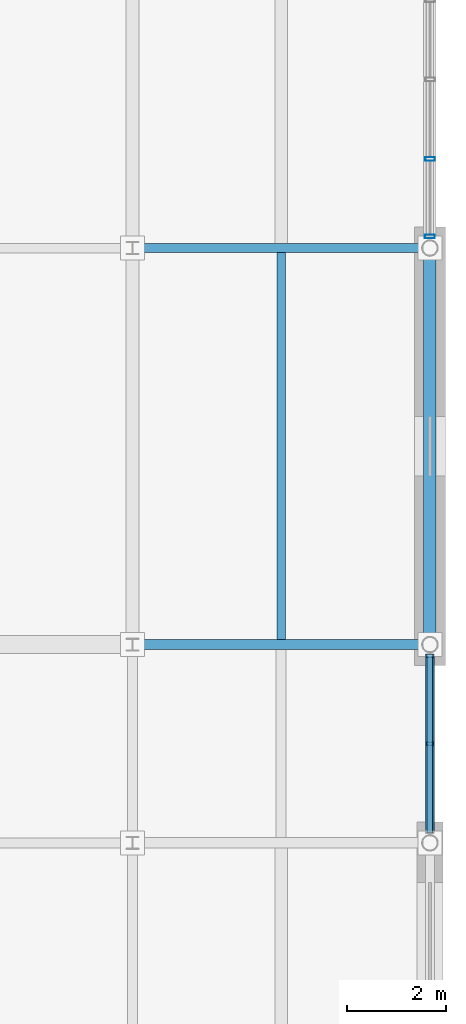
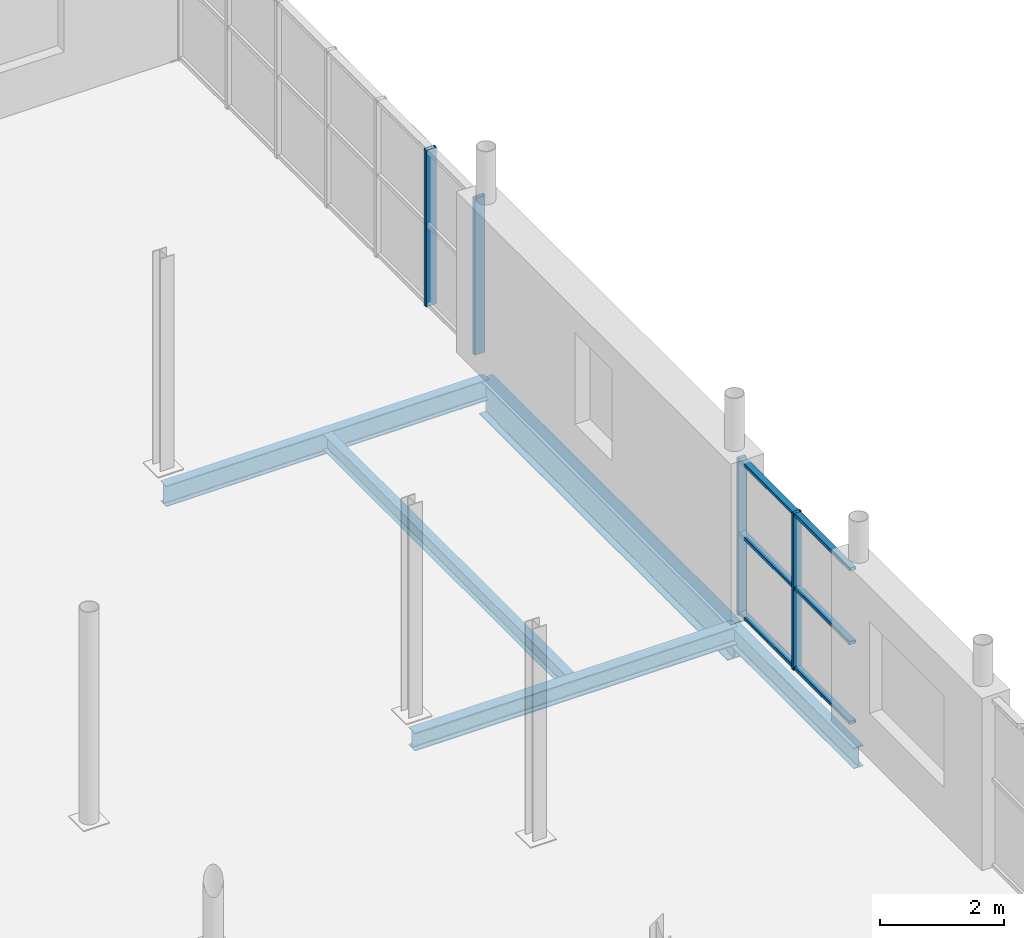
# One storey, part 18 of 30: 7 members, 5 beams, 2 elements without a shape of their own.
"""IFC4 building model written with IfcOpenShell, lengths in metres."""

from ifc_helpers import new_model, si_unit, direction, frame, origin, origin_2d, place, context, subcontext, project, spatial, hollow_rectangle, i_section, extrude, material, material_profile, profile_set, type_object, element, aggregate, save


model = new_model("IFC4")

# Units and contexts
model_context = context("Model", 3, precision=1e-05, world=origin(), true_north=direction((0.0, 1.0)))
body_context = subcontext(model_context, "Body", "Model", "MODEL_VIEW")
ifc_project = project(units=[si_unit("LENGTHUNIT", "METRE"), si_unit("AREAUNIT", "SQUARE_METRE"), si_unit("VOLUMEUNIT", "CUBIC_METRE"), si_unit("PLANEANGLEUNIT", "RADIAN"), si_unit("MASSUNIT", "GRAM", prefix="KILO")], contexts=[model_context])

# Site, building, storey
site_placement = place(None, origin())
site = spatial("IfcSite", under=ifc_project, at=site_placement, CompositionType="ELEMENT")
building_placement = place(site_placement, origin())
building = spatial("IfcBuilding", under=site, at=building_placement, Name="Verrall Gate Interchange", CompositionType="ELEMENT")
storey_placement = place(building_placement, frame((0.0, 0.0, 19.39990234375)))
storey = spatial("IfcBuildingStorey", under=building, at=storey_placement, Name="L05", CompositionType="ELEMENT", Elevation=19.39990234375)

# Beams
ifc_material_1 = material(Name="Structural Steel CSA G40.21 350WT Cat 4", Category="steel")
ifc_material_profile_1 = material_profile(ifc_material_1, i_section(OverallWidth=0.256103515625, OverallDepth=0.693115234375, WebThickness=0.01318359375, FlangeThickness=0.02001953125, FilletRadius=0.01611328125, at=origin_2d()), Name="W690x170")
ifc_profile_set_1 = profile_set([ifc_material_profile_1], Name="Structural Steel CSA G40.21 350WT Cat 4")
beam_type_1 = type_object("IfcBeamType", Name="B-07 Structural Beam W690x170", PredefinedType="BEAM", material=ifc_profile_set_1)
beam_1_placement = place(storey_placement, frame((36.0, 48.0, -0.676513671875), z_axis=(0.0, 1.0, 0.0), x_axis=(-1.0, 0.0, 0.0)))
element("IfcBeam", 1, at=beam_1_placement, inside=storey, type_object=beam_type_1, Name="L05 Girder BM-L05-3001 (B-07)", PredefinedType="BEAM", context=body_context, shape_type="SweptSolid", body=[
    extrude(i_section(OverallWidth=0.256103515625, OverallDepth=0.693115234375, WebThickness=0.01318359375, FlangeThickness=0.02001953125, FilletRadius=0.01611328125, at=origin_2d()), origin(), (0.0, 0.0, 1.0), 8.0),
])
ifc_material_2 = material(Name="Structural Steel CSA G40.21 350W", Category="steel")
ifc_material_profile_2 = material_profile(ifc_material_2, i_section(OverallWidth=0.178955078125, OverallDepth=0.409912109375, WebThickness=0.0087890625, FlangeThickness=0.014404296875, FilletRadius=0.011962890625, at=origin_2d()), Name="W410x67")
ifc_profile_set_2 = profile_set([ifc_material_profile_2], Name="Structural Steel CSA G40.21 350W")
beam_type_2 = type_object("IfcBeamType", Name="B-12 Structural Beam W410x67", PredefinedType="BEAM", material=ifc_profile_set_2)
beam_2_placement = place(storey_placement, frame((30.0, 56.0, -0.534912109375), z_axis=(1.0, 0.0, 0.0), x_axis=(0.0, 1.0, 0.0)))
element("IfcBeam", 2, at=beam_2_placement, inside=storey, type_object=beam_type_2, Name="L05 Girder BM-L05-2907 (B-12)", PredefinedType="BEAM", context=body_context, shape_type="SweptSolid", body=[
    extrude(i_section(OverallWidth=0.178955078125, OverallDepth=0.409912109375, WebThickness=0.0087890625, FlangeThickness=0.014404296875, FilletRadius=0.011962890625, at=origin_2d()), origin(), (0.0, 0.0, 1.0), 6.0),
])
beam_3_placement = place(storey_placement, frame((36.0, 44.0, -0.534912109375), z_axis=(0.0, 1.0, 0.0), x_axis=(-1.0, 0.0, 0.0)))
element("IfcBeam", 3, at=beam_3_placement, inside=storey, type_object=beam_type_2, Name="L05 Girder BM-L05-3000 (B-12)", PredefinedType="BEAM", context=body_context, shape_type="SweptSolid", body=[
    extrude(i_section(OverallWidth=0.178955078125, OverallDepth=0.409912109375, WebThickness=0.0087890625, FlangeThickness=0.014404296875, FilletRadius=0.011962890625, at=origin_2d()), origin(), (0.0, 0.0, 1.0), 4.0),
])
ifc_material_3 = material(Name="Structural Steel CSA G40.21 350W", Category="steel")
ifc_material_profile_3 = material_profile(ifc_material_3, i_section(OverallWidth=0.205078125, OverallDepth=0.35400390625, WebThickness=0.009521484375, FlangeThickness=0.016845703125, FilletRadius=0.012939453125, at=origin_2d()), Name="W360x79")
ifc_profile_set_3 = profile_set([ifc_material_profile_3], Name="Structural Steel CSA G40.21 350W")
beam_type_3 = type_object("IfcBeamType", Name="B-14 Structural Beam W360x79", PredefinedType="BEAM", material=ifc_profile_set_3)
beam_4_placement = place(storey_placement, frame((30.0, 48.0, -0.5068359375), z_axis=(1.0, 0.0, 0.0), x_axis=(0.0, 1.0, 0.0)))
element("IfcBeam", 4, at=beam_4_placement, inside=storey, type_object=beam_type_3, Name="L05 Girder BM-L05-2903 (B-14)", PredefinedType="BEAM", context=body_context, shape_type="SweptSolid", body=[
    extrude(i_section(OverallWidth=0.205078125, OverallDepth=0.35400390625, WebThickness=0.009521484375, FlangeThickness=0.016845703125, FilletRadius=0.012939453125, at=origin_2d()), origin(), (0.0, 0.0, 1.0), 6.0),
])

# Curtain wall, members
ifc_material_4 = material(Name="Thermally Broken Anodized Aluminium Curtain Wall Framing", Category="aluminium")
curtain_wall_type_1 = type_object("IfcCurtainWallType", Name="CW-17 Unitized Curtain Wall 3631x3100", PredefinedType="NOTDEFINED", material=ifc_material_4)
curtain_wall_1_placement = place(storey_placement, origin())
curtain_wall_1 = element("IfcCurtainWall", 5, at=curtain_wall_1_placement, inside=storey, type_object=curtain_wall_type_1, Name="L05 Unitized Curtain Wall CW-L05-136", PredefinedType="NOTDEFINED")
ifc_material_5 = material(Name="Thermally Broken Anodized Aluminium Curtain Wall Framing", Category="aluminium")
ifc_material_profile_4 = material_profile(ifc_material_5, hollow_rectangle(XDim=0.06494140625, YDim=0.159912109375, WallThickness=0.00390625, InnerFilletRadius=0.00390625, OuterFilletRadius=0.008056640625, at=origin_2d()), Name="CWM160x65x4")
ifc_profile_set_4 = profile_set([ifc_material_profile_4], Name="Thermally Broken Anodized Aluminium Curtain Wall Framing")
member_type_1 = type_object("IfcMemberType", Name="CM-01 Curtain Mullion CWM160x65x4", PredefinedType="MULLION", material=ifc_profile_set_4)
member_1_placement = place(storey_placement, frame((36.0, 46.0, 0.0), z_axis=(0.0, 0.0, 1.0), x_axis=(0.0, 1.0, 0.0)))
member_1 = element("IfcMember", 6, at=member_1_placement, type_object=member_type_1, Name="CW-L05-136 Mullion 2", PredefinedType="MULLION", context=body_context, shape_type="SweptSolid", body=[
    extrude(hollow_rectangle(XDim=0.06494140625, YDim=0.159912109375, WallThickness=0.00390625, InnerFilletRadius=0.00390625, OuterFilletRadius=0.008056640625, at=origin_2d()), origin(), (0.0, 0.0, 1.0), 3.080078125),
])
member_2_placement = place(storey_placement, frame((36.0, 47.773681640625, 0.0), z_axis=(0.0, 0.0, 1.0), x_axis=(0.0, 1.0, 0.0)))
member_2 = element("IfcMember", 7, at=member_2_placement, type_object=member_type_1, Name="CW-L05-136 Mullion 3", PredefinedType="MULLION", context=body_context, shape_type="SweptSolid", body=[
    extrude(hollow_rectangle(XDim=0.06494140625, YDim=0.159912109375, WallThickness=0.00390625, InnerFilletRadius=0.00390625, OuterFilletRadius=0.008056640625, at=origin_2d()), origin(), (0.0, 0.0, 1.0), 3.080078125),
])

ifc_material_6 = material(Name="Thermally Broken Anodized Aluminium Curtain Wall Framing", Category="aluminium")
curtain_wall_type_2 = type_object("IfcCurtainWallType", Name="CW-44 Unitized Curtain Wall 9612x3080", PredefinedType="NOTDEFINED", material=ifc_material_6)
curtain_wall_2_placement = place(storey_placement, origin())
curtain_wall_2 = element("IfcCurtainWall", 8, at=curtain_wall_2_placement, inside=storey, type_object=curtain_wall_type_2, Name="L05 Unitized Curtain Wall CW-L05-137", PredefinedType="NOTDEFINED")
ifc_material_7 = material(Name="Thermally Broken Anodized Aluminium Curtain Wall Framing", Category="aluminium")
ifc_material_profile_5 = material_profile(ifc_material_7, hollow_rectangle(XDim=0.074951171875, YDim=0.199951171875, WallThickness=0.0048828125, InnerFilletRadius=0.0048828125, OuterFilletRadius=0.010009765625, at=origin_2d()), Name="CWM200x75x5")
ifc_profile_set_5 = profile_set([ifc_material_profile_5], Name="Thermally Broken Anodized Aluminium Curtain Wall Framing")
member_type_2 = type_object("IfcMemberType", Name="CM-02 Curtain Mullion CWM200x75x5", PredefinedType="MULLION", material=ifc_profile_set_5)
member_3_placement = place(storey_placement, frame((36.0, 56.2314453125, 0.0), z_axis=(0.0, 0.0, 1.0), x_axis=(0.0, 1.0, 0.0)))
member_3 = element("IfcMember", 9, at=member_3_placement, type_object=member_type_2, Name="CW-L05-137 Mullion 1", PredefinedType="MULLION", context=body_context, shape_type="SweptSolid", body=[
    extrude(hollow_rectangle(XDim=0.074951171875, YDim=0.199951171875, WallThickness=0.0048828125, InnerFilletRadius=0.0048828125, OuterFilletRadius=0.010009765625, at=origin_2d()), origin(), (0.0, 0.0, 1.0), 3.080078125),
])
member_4_placement = place(storey_placement, frame((36.0, 57.7958984375, 0.0), z_axis=(0.0, 0.0, 1.0), x_axis=(0.0, 1.0, 0.0)))
member_4 = element("IfcMember", 10, at=member_4_placement, type_object=member_type_2, Name="CW-L05-137 Mullion 2", PredefinedType="MULLION", context=body_context, shape_type="SweptSolid", body=[
    extrude(hollow_rectangle(XDim=0.074951171875, YDim=0.199951171875, WallThickness=0.0048828125, InnerFilletRadius=0.0048828125, OuterFilletRadius=0.010009765625, at=origin_2d()), origin(), (0.0, 0.0, 1.0), 3.080078125),
])
aggregate(curtain_wall_2, [member_3, member_4])

# Member
ifc_material_8 = material(Name="Thermally Broken Anodized Aluminium Curtain Wall Framing", Category="aluminium")
ifc_material_profile_6 = material_profile(ifc_material_8, hollow_rectangle(XDim=0.1201171875, YDim=0.06494140625, WallThickness=0.00390625, InnerFilletRadius=0.00390625, OuterFilletRadius=0.008056640625, at=origin_2d()), Name="CWT120x65x4")
ifc_profile_set_6 = profile_set([ifc_material_profile_6], Name="Thermally Broken Anodized Aluminium Curtain Wall Framing")
member_type_3 = type_object("IfcMemberType", Name="CT-01 Curtain Transom CWT120x65x4", PredefinedType="USERDEFINED", material=ifc_profile_set_6)
member_5_placement = place(storey_placement, frame((36.0, 44.19384765625, 0.03271484375), z_axis=(0.0, 1.0, 0.0), x_axis=(-1.0, 0.0, 0.0)))
member_5 = element("IfcMember", 11, at=member_5_placement, type_object=member_type_3, Name="CW-L05-136 Transom 1", ObjectType="TRANSOM", PredefinedType="USERDEFINED", context=body_context, shape_type="SweptSolid", body=[
    extrude(hollow_rectangle(XDim=0.1201171875, YDim=0.06494140625, WallThickness=0.00390625, InnerFilletRadius=0.00390625, OuterFilletRadius=0.008056640625, at=origin_2d()), origin(), (0.0, 0.0, 1.0), 3.6123046875),
])

member_6_placement = place(storey_placement, frame((36.0, 44.19384765625, 1.601806640625), z_axis=(0.0, 1.0, 0.0), x_axis=(-1.0, 0.0, 0.0)))
member_6 = element("IfcMember", 12, at=member_6_placement, type_object=member_type_3, Name="CW-L05-136 Transom 2", ObjectType="TRANSOM", PredefinedType="USERDEFINED", context=body_context, shape_type="SweptSolid", body=[
    extrude(hollow_rectangle(XDim=0.1201171875, YDim=0.06494140625, WallThickness=0.00390625, InnerFilletRadius=0.00390625, OuterFilletRadius=0.008056640625, at=origin_2d()), origin(), (0.0, 0.0, 1.0), 3.6123046875),
])

member_7_placement = place(storey_placement, frame((36.0, 44.19384765625, 3.047607421875), z_axis=(0.0, 1.0, 0.0), x_axis=(-1.0, 0.0, 0.0)))
member_7 = element("IfcMember", 13, at=member_7_placement, type_object=member_type_3, Name="CW-L05-136 Transom 3", ObjectType="TRANSOM", PredefinedType="USERDEFINED", context=body_context, shape_type="SweptSolid", body=[
    extrude(hollow_rectangle(XDim=0.1201171875, YDim=0.06494140625, WallThickness=0.00390625, InnerFilletRadius=0.00390625, OuterFilletRadius=0.008056640625, at=origin_2d()), origin(), (0.0, 0.0, 1.0), 3.6123046875),
])

aggregate(curtain_wall_1, [member_1, member_2, member_5, member_6, member_7])

# Beam
ifc_material_9 = material(Name="Structural Steel CSA G40.21 350W", Category="steel")
ifc_material_profile_7 = material_profile(ifc_material_9, i_section(OverallWidth=0.1650390625, OverallDepth=0.31005859375, WebThickness=0.005859375, FlangeThickness=0.009765625, FilletRadius=0.010009765625, at=origin_2d()), Name="W310x39")
ifc_profile_set_7 = profile_set([ifc_material_profile_7], Name="Structural Steel CSA G40.21 350W")
beam_type_4 = type_object("IfcBeamType", Name="J-04 Floor Joist W310x39", PredefinedType="JOIST", material=ifc_profile_set_7)
beam_5_placement = place(storey_placement, frame((33.0, 48.1025390625, -0.48486328125), z_axis=(0.0, 1.0, 0.0), x_axis=(-1.0, 0.0, 0.0)))
element("IfcBeam", 14, at=beam_5_placement, inside=storey, type_object=beam_type_4, Name="L05 Secondary Floor Joist JST-L05-3043", PredefinedType="JOIST", context=body_context, shape_type="SweptSolid", body=[
    extrude(i_section(OverallWidth=0.1650390625, OverallDepth=0.31005859375, WebThickness=0.005859375, FlangeThickness=0.009765625, FilletRadius=0.010009765625, at=origin_2d()), origin(), (0.0, 0.0, 1.0), 7.807861328125),
])

save(model, "model.ifc")
